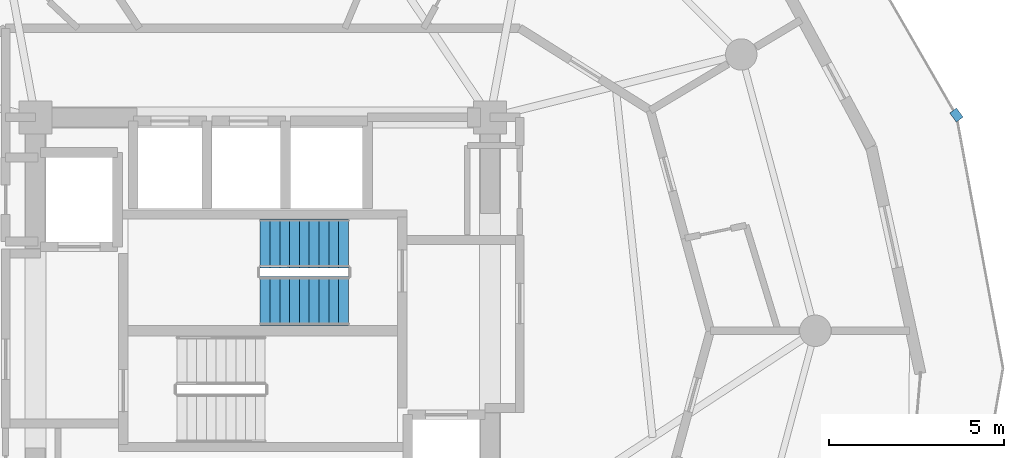
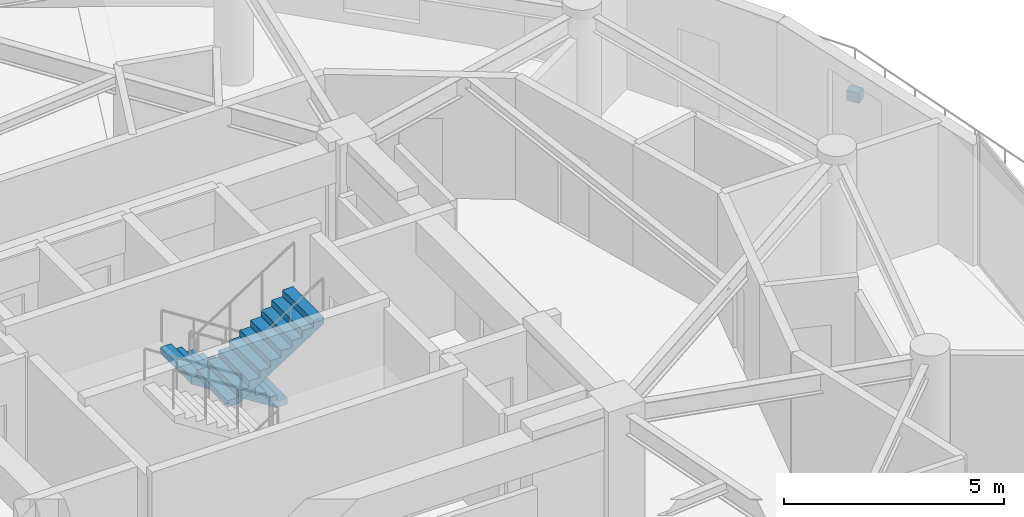
# One storey, part 21 of 23: 2 stair flights, 1 discrete accessory, 1 element without a shape of its own.
"""IFC4 building model written with IfcOpenShell, lengths in metres."""

from ifc_helpers import new_model, si_unit, direction, frame, origin, origin_2d, place, context, subcontext, project, spatial, polyline, rectangle, outline, extrude, material, type_object, element, aggregate, save


model = new_model("IFC4")

# Units and contexts
model_context = context("Model", 3, precision=1e-05, world=origin(), true_north=direction((0.0, 1.0)))
body_context = subcontext(model_context, "Body", "Model", "MODEL_VIEW")
ifc_project = project(units=[si_unit("LENGTHUNIT", "METRE"), si_unit("AREAUNIT", "SQUARE_METRE"), si_unit("VOLUMEUNIT", "CUBIC_METRE"), si_unit("PLANEANGLEUNIT", "RADIAN"), si_unit("MASSUNIT", "GRAM", prefix="KILO")], contexts=[model_context])

# Site, building, storey
site_placement = place(None, origin())
site = spatial("IfcSite", under=ifc_project, at=site_placement, CompositionType="ELEMENT")
building_placement = place(site_placement, origin())
building = spatial("IfcBuilding", under=site, at=building_placement, Name="Solvirekh Grand Hotel", CompositionType="ELEMENT")
storey_placement = place(building_placement, frame((0.0, 0.0, 180.39990234375)))
storey = spatial("IfcBuildingStorey", under=building, at=storey_placement, Name="L46", CompositionType="ELEMENT", Elevation=180.39990234375)

# Stair, stair flights
ifc_material_1 = material(Name="Concrete C40/50", Category="concrete")
stair_type = type_object("IfcStairType", Name="Stair_Core_1450", PredefinedType="HALF_TURN_STAIR", material=ifc_material_1)
stair_placement = place(storey_placement, origin())
stair = element("IfcStair", 1, at=stair_placement, inside=storey, type_object=stair_type, Name="L46 Enclosed exit stair ST-2", PredefinedType="HALF_TURN_STAIR")
stair_flight_type = type_object("IfcStairFlightType", Name="Flight_Core_1450", PredefinedType="STRAIGHT", material=ifc_material_1)
stair_flight_1_placement = place(storey_placement, frame((2.449951171875, 2.5, 0.0), z_axis=(0.0, 0.0, 1.0), x_axis=(-1.0, 0.0, 0.0)))
stair_flight_1 = element("IfcStairFlight", 2, at=stair_flight_1_placement, type_object=stair_flight_type, Name="ST-2 flight 1", NumberOfRisers=10, NumberOfTreads=9, PredefinedType="STRAIGHT", RiserHeight=0.18, TreadLength=0.28, context=body_context, shape_type="SweptSolid", body=[
    extrude(outline(polyline([(0.0, 0.0), (0.0, 0.179931640625), (0.280029296875, 0.179931640625), (0.280029296875, 0.360107421875), (0.56005859375, 0.360107421875), (0.56005859375, 0.5400390625), (0.840087890625, 0.5400390625), (0.840087890625, 0.719970703125), (1.1201171875, 0.719970703125), (1.1201171875, 0.89990234375), (1.39990234375, 0.89990234375), (1.39990234375, 1.080078125), (1.679931640625, 1.080078125), (1.679931640625, 1.260009765625), (1.9599609375, 1.260009765625), (1.9599609375, 1.43994140625), (2.239990234375, 1.43994140625), (2.239990234375, 1.6201171875), (2.52001953125, 1.6201171875), (2.52001953125, 1.800048828125), (2.52001953125, 1.44189453125), (0.277099609375, 0.0), (0.0, 0.0)])), frame((0.0, 0.699951171875, 0.0), z_axis=(0.0, -1.0, 0.0), x_axis=(1.0, 0.0, 0.0)), (0.0, 0.0, 1.0), 1.39990234375),
])
stair_flight_2_placement = place(storey_placement, frame((-0.070068359375, 0.85009765625, 1.800048828125), z_axis=(0.0, 0.0, 1.0), x_axis=(1.0, 0.0, 0.0)))
stair_flight_2 = element("IfcStairFlight", 3, at=stair_flight_2_placement, type_object=stair_flight_type, Name="ST-2 flight 2", NumberOfRisers=10, NumberOfTreads=9, PredefinedType="STRAIGHT", RiserHeight=0.18, TreadLength=0.28, context=body_context, shape_type="SweptSolid", body=[
    extrude(outline(polyline([(0.0, 0.0), (0.0, 0.179931640625), (0.280029296875, 0.179931640625), (0.280029296875, 0.360107421875), (0.56005859375, 0.360107421875), (0.56005859375, 0.5400390625), (0.840087890625, 0.5400390625), (0.840087890625, 0.719970703125), (1.1201171875, 0.719970703125), (1.1201171875, 0.89990234375), (1.39990234375, 0.89990234375), (1.39990234375, 1.080078125), (1.679931640625, 1.080078125), (1.679931640625, 1.260009765625), (1.9599609375, 1.260009765625), (1.9599609375, 1.43994140625), (2.239990234375, 1.43994140625), (2.239990234375, 1.6201171875), (2.52001953125, 1.6201171875), (2.52001953125, 1.800048828125), (2.52001953125, 1.44189453125), (0.277099609375, 0.0), (0.0, 0.0)])), frame((0.0, 0.699951171875, 0.0), z_axis=(0.0, -1.0, 0.0), x_axis=(1.0, 0.0, 0.0)), (0.0, 0.0, 1.0), 1.39990234375),
])
aggregate(stair, [stair_flight_1, stair_flight_2])

# Discrete accessory
ifc_material_2 = material(Name="Steel S355", Category="steel")
discrete_accessory_type = type_object("IfcDiscreteAccessoryType", Name="Acc_ThermalBracket", PredefinedType="BRACKET", material=ifc_material_2)
discrete_accessory_placement = place(storey_placement, frame((19.8349609375, 6.16796875, -0.27978515625), z_axis=(0.0, 0.0, 1.0), x_axis=(0.59060566762, -0.806960312144, 0.0)))
element("IfcDiscreteAccessory", 4, at=discrete_accessory_placement, inside=storey, type_object=discrete_accessory_type, Name="L46 balcony thermal-break bracket", PredefinedType="BRACKET", context=body_context, shape_type="SweptSolid", body=[
    extrude(rectangle(XDim=0.320068359375, YDim=0.239990234375, at=origin_2d()), origin(), (0.0, 0.0, 1.0), 0.280029296875),
])

save(model, "model.ifc")
